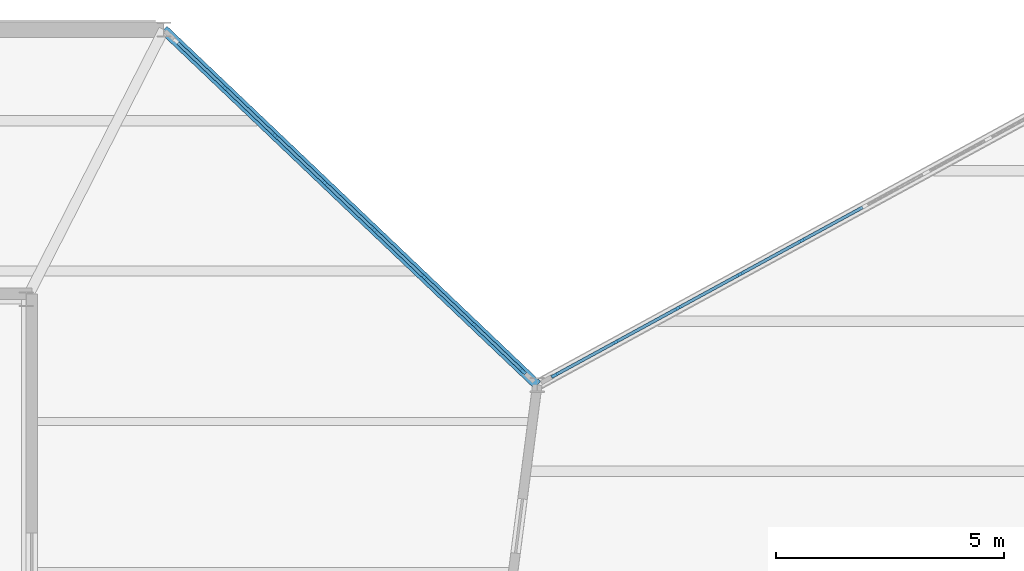
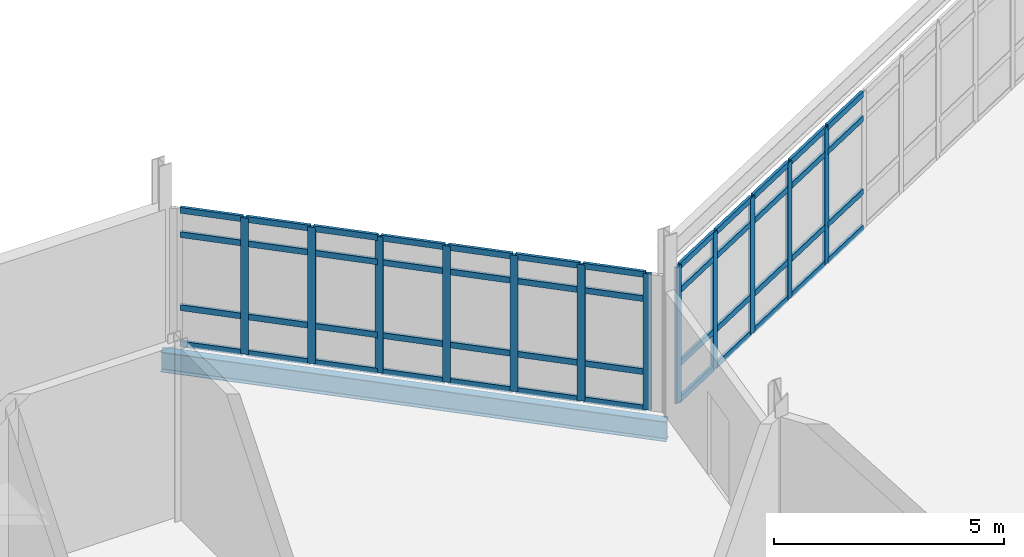
# One storey, part 65 of 114: 60 members, 1 beam, 2 elements without a shape of their own.
"""IFC4 building model written with IfcOpenShell, lengths in metres."""

from ifc_helpers import new_model, si_unit, direction, frame, origin, origin_2d, place, context, subcontext, project, spatial, rectangle, i_section, extrude, material, material_profile, profile_set, type_object, element, aggregate, save


model = new_model("IFC4")

# Units and contexts
model_context = context("Model", 3, precision=1e-05, world=origin(), true_north=direction((0.0, 1.0)))
body_context = subcontext(model_context, "Body", "Model", "MODEL_VIEW")
ifc_project = project(units=[si_unit("LENGTHUNIT", "METRE"), si_unit("AREAUNIT", "SQUARE_METRE"), si_unit("VOLUMEUNIT", "CUBIC_METRE"), si_unit("PLANEANGLEUNIT", "RADIAN"), si_unit("MASSUNIT", "GRAM", prefix="KILO")], contexts=[model_context])

# Site, building, storey
site_placement = place(None, origin())
site = spatial("IfcSite", under=ifc_project, at=site_placement, CompositionType="ELEMENT")
building_placement = place(site_placement, origin())
building = spatial("IfcBuilding", under=site, at=building_placement, Name="Tameran Prism Museum", CompositionType="ELEMENT")
storey_placement = place(building_placement, frame((0.0, 0.0, 10.199951171875)))
storey = spatial("IfcBuildingStorey", under=building, at=storey_placement, Name="L02", CompositionType="ELEMENT", Elevation=10.199951171875)

# Beam
ifc_material_1 = material(Name="Steel Grade 300PLUS (300 MPa)", Category="steel")
ifc_material_profile_1 = material_profile(ifc_material_1, i_section(OverallWidth=0.208984375, OverallDepth=0.532958984375, WebThickness=0.01025390625, FlangeThickness=0.015625, FilletRadius=0.013916015625, at=origin_2d()))
ifc_profile_set_1 = profile_set([ifc_material_profile_1])
beam_type = type_object("IfcBeamType", Name="BM-SP530A", PredefinedType="SPANDREL", material=ifc_profile_set_1)
beam_placement = place(storey_placement, frame((135.699951171875, 104.199951171875, -0.466552734375), z_axis=(-0.724553857676, 0.689218185575, 0.0), x_axis=(-0.689218185575, -0.724553857676, 0.0)))
element("IfcBeam", 1, at=beam_placement, inside=storey, type_object=beam_type, Name="Perimeter Spandrel SP-0665", PredefinedType="SPANDREL", context=body_context, shape_type="SweptSolid", body=[
    extrude(i_section(OverallWidth=0.208984375, OverallDepth=0.532958984375, WebThickness=0.01025390625, FlangeThickness=0.015625, FilletRadius=0.013916015625, at=origin_2d()), origin(), (0.0, 0.0, 1.0), 11.317138671875),
])

# Curtain wall, members
ifc_material_2 = material(Name="Anodised Aluminium 6063-T6 and Cyclone Solar Glass", Category="aluminium")
curtain_wall_type_1 = type_object("IfcCurtainWallType", Name="CW-FAC-1056x362", PredefinedType="USERDEFINED", material=ifc_material_2)
curtain_wall_1_placement = place(storey_placement, origin())
curtain_wall_1 = element("IfcCurtainWall", 2, at=curtain_wall_1_placement, inside=storey, type_object=curtain_wall_type_1, Name="Unitised Curtain Wall CW-100", ObjectType="UNITISED CURTAIN WALL", PredefinedType="USERDEFINED")
ifc_material_3 = material(Name="Anodised Aluminium Alloy 6063-T6", Category="aluminium")
ifc_material_profile_2 = material_profile(ifc_material_3, rectangle(XDim=0.070068359375, YDim=0.179931640625, at=origin_2d()))
ifc_profile_set_2 = profile_set([ifc_material_profile_2])
member_type_1 = type_object("IfcMemberType", Name="CW-MUL-B", PredefinedType="MULLION", material=ifc_profile_set_2)
member_1_placement = place(storey_placement, frame((128.8466796875, 110.719482421875, 0.0), z_axis=(0.0, 0.0, 1.0), x_axis=(0.689269554042, 0.724504990922, 0.0)))
member_1 = element("IfcMember", 3, at=member_1_placement, type_object=member_type_1, Name="CW-100 mullion 2", PredefinedType="MULLION", context=body_context, shape_type="SweptSolid", body=[
    extrude(rectangle(XDim=0.070068359375, YDim=0.179931640625, at=origin_2d()), origin(), (0.0, 0.0, 1.0), 3.6201171875),
])
member_2_placement = place(storey_placement, frame((129.939453125, 109.679931640625, 0.0), z_axis=(0.0, 0.0, 1.0), x_axis=(0.689269554042, 0.724504990922, 0.0)))
member_2 = element("IfcMember", 4, at=member_2_placement, type_object=member_type_1, Name="CW-100 mullion 3", PredefinedType="MULLION", context=body_context, shape_type="SweptSolid", body=[
    extrude(rectangle(XDim=0.070068359375, YDim=0.179931640625, at=origin_2d()), origin(), (0.0, 0.0, 1.0), 3.6201171875),
])
member_3_placement = place(storey_placement, frame((131.0322265625, 108.640380859375, 0.0), z_axis=(0.0, 0.0, 1.0), x_axis=(0.689269554042, 0.724504990922, 0.0)))
member_3 = element("IfcMember", 5, at=member_3_placement, type_object=member_type_1, Name="CW-100 mullion 4", PredefinedType="MULLION", context=body_context, shape_type="SweptSolid", body=[
    extrude(rectangle(XDim=0.070068359375, YDim=0.179931640625, at=origin_2d()), origin(), (0.0, 0.0, 1.0), 3.6201171875),
])
member_4_placement = place(storey_placement, frame((132.124755859375, 107.600830078125, 0.0), z_axis=(0.0, 0.0, 1.0), x_axis=(0.689269554042, 0.724504990922, 0.0)))
member_4 = element("IfcMember", 6, at=member_4_placement, type_object=member_type_1, Name="CW-100 mullion 5", PredefinedType="MULLION", context=body_context, shape_type="SweptSolid", body=[
    extrude(rectangle(XDim=0.070068359375, YDim=0.179931640625, at=origin_2d()), origin(), (0.0, 0.0, 1.0), 3.6201171875),
])
member_5_placement = place(storey_placement, frame((133.217529296875, 106.56103515625, 0.0), z_axis=(0.0, 0.0, 1.0), x_axis=(0.689269554042, 0.724504990922, 0.0)))
member_5 = element("IfcMember", 7, at=member_5_placement, type_object=member_type_1, Name="CW-100 mullion 6", PredefinedType="MULLION", context=body_context, shape_type="SweptSolid", body=[
    extrude(rectangle(XDim=0.070068359375, YDim=0.179931640625, at=origin_2d()), origin(), (0.0, 0.0, 1.0), 3.6201171875),
])
member_6_placement = place(storey_placement, frame((134.310302734375, 105.521484375, 0.0), z_axis=(0.0, 0.0, 1.0), x_axis=(0.689269554042, 0.724504990922, 0.0)))
member_6 = element("IfcMember", 8, at=member_6_placement, type_object=member_type_1, Name="CW-100 mullion 7", PredefinedType="MULLION", context=body_context, shape_type="SweptSolid", body=[
    extrude(rectangle(XDim=0.070068359375, YDim=0.179931640625, at=origin_2d()), origin(), (0.0, 0.0, 1.0), 3.6201171875),
])
member_7_placement = place(storey_placement, frame((135.377685546875, 104.506103515625, 0.0), z_axis=(0.0, 0.0, 1.0), x_axis=(0.689269554042, 0.724504990922, 0.0)))
member_7 = element("IfcMember", 9, at=member_7_placement, type_object=member_type_1, Name="CW-100 mullion 8", PredefinedType="MULLION", context=body_context, shape_type="SweptSolid", body=[
    extrude(rectangle(XDim=0.070068359375, YDim=0.179931640625, at=origin_2d()), origin(), (0.0, 0.0, 1.0), 3.6201171875),
])

ifc_material_4 = material(Name="Anodised Aluminium 6063-T6 and Cyclone Solar Glass", Category="aluminium")
curtain_wall_type_2 = type_object("IfcCurtainWallType", Name="CW-FAC-1553x362", PredefinedType="USERDEFINED", material=ifc_material_4)
curtain_wall_2_placement = place(storey_placement, origin())
curtain_wall_2 = element("IfcCurtainWall", 10, at=curtain_wall_2_placement, inside=storey, type_object=curtain_wall_type_2, Name="Unitised Curtain Wall CW-104", ObjectType="UNITISED CURTAIN WALL", PredefinedType="USERDEFINED")
member_8_placement = place(storey_placement, frame((136.0908203125, 104.413818359375, 0.0), z_axis=(0.0, 0.0, 1.0), x_axis=(-0.478793474805, 0.877927564486, 0.0)))
member_8 = element("IfcMember", 11, at=member_8_placement, type_object=member_type_1, Name="CW-104 mullion 1", PredefinedType="MULLION", context=body_context, shape_type="SweptSolid", body=[
    extrude(rectangle(XDim=0.070068359375, YDim=0.179931640625, at=origin_2d()), origin(), (0.0, 0.0, 1.0), 3.6201171875),
])
member_9_placement = place(storey_placement, frame((137.42333984375, 105.140380859375, 0.0), z_axis=(0.0, 0.0, 1.0), x_axis=(-0.478793474805, 0.877927564486, 0.0)))
member_9 = element("IfcMember", 12, at=member_9_placement, type_object=member_type_1, Name="CW-104 mullion 2", PredefinedType="MULLION", context=body_context, shape_type="SweptSolid", body=[
    extrude(rectangle(XDim=0.070068359375, YDim=0.179931640625, at=origin_2d()), origin(), (0.0, 0.0, 1.0), 3.6201171875),
])
member_10_placement = place(storey_placement, frame((138.78662109375, 105.884033203125, 0.0), z_axis=(0.0, 0.0, 1.0), x_axis=(-0.478793474805, 0.877927564486, 0.0)))
member_10 = element("IfcMember", 13, at=member_10_placement, type_object=member_type_1, Name="CW-104 mullion 3", PredefinedType="MULLION", context=body_context, shape_type="SweptSolid", body=[
    extrude(rectangle(XDim=0.070068359375, YDim=0.179931640625, at=origin_2d()), origin(), (0.0, 0.0, 1.0), 3.6201171875),
])
member_11_placement = place(storey_placement, frame((140.14990234375, 106.62744140625, 0.0), z_axis=(0.0, 0.0, 1.0), x_axis=(-0.478793474805, 0.877927564486, 0.0)))
member_11 = element("IfcMember", 14, at=member_11_placement, type_object=member_type_1, Name="CW-104 mullion 4", PredefinedType="MULLION", context=body_context, shape_type="SweptSolid", body=[
    extrude(rectangle(XDim=0.070068359375, YDim=0.179931640625, at=origin_2d()), origin(), (0.0, 0.0, 1.0), 3.6201171875),
])
member_12_placement = place(storey_placement, frame((141.51318359375, 107.37109375, 0.0), z_axis=(0.0, 0.0, 1.0), x_axis=(-0.478793474805, 0.877927564486, 0.0)))
member_12 = element("IfcMember", 15, at=member_12_placement, type_object=member_type_1, Name="CW-104 mullion 5", PredefinedType="MULLION", context=body_context, shape_type="SweptSolid", body=[
    extrude(rectangle(XDim=0.070068359375, YDim=0.179931640625, at=origin_2d()), origin(), (0.0, 0.0, 1.0), 3.6201171875),
])

# Member
ifc_material_5 = material(Name="Anodised Aluminium Alloy 6063-T6", Category="aluminium")
ifc_material_profile_3 = material_profile(ifc_material_5, rectangle(XDim=0.070068359375, YDim=0.155029296875, at=origin_2d()))
ifc_profile_set_3 = profile_set([ifc_material_profile_3])
member_type_2 = type_object("IfcMemberType", Name="CW-TRN-B", PredefinedType="USERDEFINED", material=ifc_profile_set_3)
member_13_placement = place(storey_placement, frame((127.8046875, 111.710693359375, 0.03515625), z_axis=(0.724547464934, -0.689224906005, 0.0), x_axis=(0.689224906005, 0.724547464934, 0.0)))
member_13 = element("IfcMember", 16, at=member_13_placement, type_object=member_type_2, Name="CW-100 transom 1.1", ObjectType="TRANSOM", PredefinedType="USERDEFINED", context=body_context, shape_type="SweptSolid", body=[
    extrude(rectangle(XDim=0.070068359375, YDim=0.155029296875, at=origin_2d()), origin(), (0.0, 0.0, 1.0), 1.403076171875),
])

member_14_placement = place(storey_placement, frame((127.8046875, 111.710693359375, 1.0), z_axis=(0.724547464934, -0.689224906005, 0.0), x_axis=(0.689224906005, 0.724547464934, 0.0)))
member_14 = element("IfcMember", 17, at=member_14_placement, type_object=member_type_2, Name="CW-100 transom 1.2", ObjectType="TRANSOM", PredefinedType="USERDEFINED", context=body_context, shape_type="SweptSolid", body=[
    extrude(rectangle(XDim=0.070068359375, YDim=0.155029296875, at=origin_2d()), origin(), (0.0, 0.0, 1.0), 1.403076171875),
])

member_15_placement = place(storey_placement, frame((127.8046875, 111.710693359375, 2.93994140625), z_axis=(0.724547464934, -0.689224906005, 0.0), x_axis=(0.689224906005, 0.724547464934, 0.0)))
member_15 = element("IfcMember", 18, at=member_15_placement, type_object=member_type_2, Name="CW-100 transom 1.3", ObjectType="TRANSOM", PredefinedType="USERDEFINED", context=body_context, shape_type="SweptSolid", body=[
    extrude(rectangle(XDim=0.070068359375, YDim=0.155029296875, at=origin_2d()), origin(), (0.0, 0.0, 1.0), 1.403076171875),
])

member_16_placement = place(storey_placement, frame((127.8046875, 111.710693359375, 3.5849609375), z_axis=(0.724547464934, -0.689224906005, 0.0), x_axis=(0.689224906005, 0.724547464934, 0.0)))
member_16 = element("IfcMember", 19, at=member_16_placement, type_object=member_type_2, Name="CW-100 transom 1.4", ObjectType="TRANSOM", PredefinedType="USERDEFINED", context=body_context, shape_type="SweptSolid", body=[
    extrude(rectangle(XDim=0.070068359375, YDim=0.155029296875, at=origin_2d()), origin(), (0.0, 0.0, 1.0), 1.403076171875),
])

member_17_placement = place(storey_placement, frame((128.8720703125, 110.6953125, 0.03515625), z_axis=(0.724541520086, -0.689231155471, 0.0), x_axis=(0.689231155471, 0.724541520086, 0.0)))
member_17 = element("IfcMember", 20, at=member_17_placement, type_object=member_type_2, Name="CW-100 transom 2.1", ObjectType="TRANSOM", PredefinedType="USERDEFINED", context=body_context, shape_type="SweptSolid", body=[
    extrude(rectangle(XDim=0.070068359375, YDim=0.155029296875, at=origin_2d()), origin(), (0.0, 0.0, 1.0), 1.438232421875),
])

member_18_placement = place(storey_placement, frame((128.8720703125, 110.6953125, 1.0), z_axis=(0.724541520086, -0.689231155471, 0.0), x_axis=(0.689231155471, 0.724541520086, 0.0)))
member_18 = element("IfcMember", 21, at=member_18_placement, type_object=member_type_2, Name="CW-100 transom 2.2", ObjectType="TRANSOM", PredefinedType="USERDEFINED", context=body_context, shape_type="SweptSolid", body=[
    extrude(rectangle(XDim=0.070068359375, YDim=0.155029296875, at=origin_2d()), origin(), (0.0, 0.0, 1.0), 1.438232421875),
])

member_19_placement = place(storey_placement, frame((128.8720703125, 110.6953125, 2.93994140625), z_axis=(0.724541520086, -0.689231155471, 0.0), x_axis=(0.689231155471, 0.724541520086, 0.0)))
member_19 = element("IfcMember", 22, at=member_19_placement, type_object=member_type_2, Name="CW-100 transom 2.3", ObjectType="TRANSOM", PredefinedType="USERDEFINED", context=body_context, shape_type="SweptSolid", body=[
    extrude(rectangle(XDim=0.070068359375, YDim=0.155029296875, at=origin_2d()), origin(), (0.0, 0.0, 1.0), 1.438232421875),
])

member_20_placement = place(storey_placement, frame((128.8720703125, 110.6953125, 3.5849609375), z_axis=(0.724541520086, -0.689231155471, 0.0), x_axis=(0.689231155471, 0.724541520086, 0.0)))
member_20 = element("IfcMember", 23, at=member_20_placement, type_object=member_type_2, Name="CW-100 transom 2.4", ObjectType="TRANSOM", PredefinedType="USERDEFINED", context=body_context, shape_type="SweptSolid", body=[
    extrude(rectangle(XDim=0.070068359375, YDim=0.155029296875, at=origin_2d()), origin(), (0.0, 0.0, 1.0), 1.438232421875),
])

member_21_placement = place(storey_placement, frame((129.96484375, 109.65576171875, 0.03515625), z_axis=(0.724456749672, -0.68932025783, 0.0), x_axis=(0.68932025783, 0.724456749672, 0.0)))
member_21 = element("IfcMember", 24, at=member_21_placement, type_object=member_type_2, Name="CW-100 transom 3.1", ObjectType="TRANSOM", PredefinedType="USERDEFINED", context=body_context, shape_type="SweptSolid", body=[
    extrude(rectangle(XDim=0.070068359375, YDim=0.155029296875, at=origin_2d()), origin(), (0.0, 0.0, 1.0), 1.438232421875),
])

member_22_placement = place(storey_placement, frame((129.96484375, 109.65576171875, 1.0), z_axis=(0.724456749672, -0.68932025783, 0.0), x_axis=(0.68932025783, 0.724456749672, 0.0)))
member_22 = element("IfcMember", 25, at=member_22_placement, type_object=member_type_2, Name="CW-100 transom 3.2", ObjectType="TRANSOM", PredefinedType="USERDEFINED", context=body_context, shape_type="SweptSolid", body=[
    extrude(rectangle(XDim=0.070068359375, YDim=0.155029296875, at=origin_2d()), origin(), (0.0, 0.0, 1.0), 1.438232421875),
])

member_23_placement = place(storey_placement, frame((129.96484375, 109.65576171875, 2.93994140625), z_axis=(0.724456749672, -0.68932025783, 0.0), x_axis=(0.68932025783, 0.724456749672, 0.0)))
member_23 = element("IfcMember", 26, at=member_23_placement, type_object=member_type_2, Name="CW-100 transom 3.3", ObjectType="TRANSOM", PredefinedType="USERDEFINED", context=body_context, shape_type="SweptSolid", body=[
    extrude(rectangle(XDim=0.070068359375, YDim=0.155029296875, at=origin_2d()), origin(), (0.0, 0.0, 1.0), 1.438232421875),
])

member_24_placement = place(storey_placement, frame((129.96484375, 109.65576171875, 3.5849609375), z_axis=(0.724456749672, -0.68932025783, 0.0), x_axis=(0.68932025783, 0.724456749672, 0.0)))
member_24 = element("IfcMember", 27, at=member_24_placement, type_object=member_type_2, Name="CW-100 transom 3.4", ObjectType="TRANSOM", PredefinedType="USERDEFINED", context=body_context, shape_type="SweptSolid", body=[
    extrude(rectangle(XDim=0.070068359375, YDim=0.155029296875, at=origin_2d()), origin(), (0.0, 0.0, 1.0), 1.438232421875),
])

member_25_placement = place(storey_placement, frame((131.0576171875, 108.6162109375, 0.03515625), z_axis=(0.724456749672, -0.68932025783, 0.0), x_axis=(0.68932025783, 0.724456749672, 0.0)))
member_25 = element("IfcMember", 28, at=member_25_placement, type_object=member_type_2, Name="CW-100 transom 4.1", ObjectType="TRANSOM", PredefinedType="USERDEFINED", context=body_context, shape_type="SweptSolid", body=[
    extrude(rectangle(XDim=0.070068359375, YDim=0.155029296875, at=origin_2d()), origin(), (0.0, 0.0, 1.0), 1.438232421875),
])

member_26_placement = place(storey_placement, frame((131.0576171875, 108.6162109375, 1.0), z_axis=(0.724456749672, -0.68932025783, 0.0), x_axis=(0.68932025783, 0.724456749672, 0.0)))
member_26 = element("IfcMember", 29, at=member_26_placement, type_object=member_type_2, Name="CW-100 transom 4.2", ObjectType="TRANSOM", PredefinedType="USERDEFINED", context=body_context, shape_type="SweptSolid", body=[
    extrude(rectangle(XDim=0.070068359375, YDim=0.155029296875, at=origin_2d()), origin(), (0.0, 0.0, 1.0), 1.438232421875),
])

member_27_placement = place(storey_placement, frame((131.0576171875, 108.6162109375, 2.93994140625), z_axis=(0.724456749672, -0.68932025783, 0.0), x_axis=(0.68932025783, 0.724456749672, 0.0)))
member_27 = element("IfcMember", 30, at=member_27_placement, type_object=member_type_2, Name="CW-100 transom 4.3", ObjectType="TRANSOM", PredefinedType="USERDEFINED", context=body_context, shape_type="SweptSolid", body=[
    extrude(rectangle(XDim=0.070068359375, YDim=0.155029296875, at=origin_2d()), origin(), (0.0, 0.0, 1.0), 1.438232421875),
])

member_28_placement = place(storey_placement, frame((131.0576171875, 108.6162109375, 3.5849609375), z_axis=(0.724456749672, -0.68932025783, 0.0), x_axis=(0.68932025783, 0.724456749672, 0.0)))
member_28 = element("IfcMember", 31, at=member_28_placement, type_object=member_type_2, Name="CW-100 transom 4.4", ObjectType="TRANSOM", PredefinedType="USERDEFINED", context=body_context, shape_type="SweptSolid", body=[
    extrude(rectangle(XDim=0.070068359375, YDim=0.155029296875, at=origin_2d()), origin(), (0.0, 0.0, 1.0), 1.438232421875),
])

member_29_placement = place(storey_placement, frame((132.150146484375, 107.57666015625, 0.03515625), z_axis=(0.724456749672, -0.68932025783, 0.0), x_axis=(0.68932025783, 0.724456749672, 0.0)))
member_29 = element("IfcMember", 32, at=member_29_placement, type_object=member_type_2, Name="CW-100 transom 5.1", ObjectType="TRANSOM", PredefinedType="USERDEFINED", context=body_context, shape_type="SweptSolid", body=[
    extrude(rectangle(XDim=0.070068359375, YDim=0.155029296875, at=origin_2d()), origin(), (0.0, 0.0, 1.0), 1.438232421875),
])

member_30_placement = place(storey_placement, frame((132.150146484375, 107.57666015625, 1.0), z_axis=(0.724456749672, -0.68932025783, 0.0), x_axis=(0.68932025783, 0.724456749672, 0.0)))
member_30 = element("IfcMember", 33, at=member_30_placement, type_object=member_type_2, Name="CW-100 transom 5.2", ObjectType="TRANSOM", PredefinedType="USERDEFINED", context=body_context, shape_type="SweptSolid", body=[
    extrude(rectangle(XDim=0.070068359375, YDim=0.155029296875, at=origin_2d()), origin(), (0.0, 0.0, 1.0), 1.438232421875),
])

member_31_placement = place(storey_placement, frame((132.150146484375, 107.57666015625, 2.93994140625), z_axis=(0.724456749672, -0.68932025783, 0.0), x_axis=(0.68932025783, 0.724456749672, 0.0)))
member_31 = element("IfcMember", 34, at=member_31_placement, type_object=member_type_2, Name="CW-100 transom 5.3", ObjectType="TRANSOM", PredefinedType="USERDEFINED", context=body_context, shape_type="SweptSolid", body=[
    extrude(rectangle(XDim=0.070068359375, YDim=0.155029296875, at=origin_2d()), origin(), (0.0, 0.0, 1.0), 1.438232421875),
])

member_32_placement = place(storey_placement, frame((132.150146484375, 107.57666015625, 3.5849609375), z_axis=(0.724456749672, -0.68932025783, 0.0), x_axis=(0.68932025783, 0.724456749672, 0.0)))
member_32 = element("IfcMember", 35, at=member_32_placement, type_object=member_type_2, Name="CW-100 transom 5.4", ObjectType="TRANSOM", PredefinedType="USERDEFINED", context=body_context, shape_type="SweptSolid", body=[
    extrude(rectangle(XDim=0.070068359375, YDim=0.155029296875, at=origin_2d()), origin(), (0.0, 0.0, 1.0), 1.438232421875),
])

member_33_placement = place(storey_placement, frame((133.242919921875, 106.537109375, 0.03515625), z_axis=(0.724456749672, -0.68932025783, 0.0), x_axis=(0.68932025783, 0.724456749672, 0.0)))
member_33 = element("IfcMember", 36, at=member_33_placement, type_object=member_type_2, Name="CW-100 transom 6.1", ObjectType="TRANSOM", PredefinedType="USERDEFINED", context=body_context, shape_type="SweptSolid", body=[
    extrude(rectangle(XDim=0.070068359375, YDim=0.155029296875, at=origin_2d()), origin(), (0.0, 0.0, 1.0), 1.438232421875),
])

member_34_placement = place(storey_placement, frame((133.242919921875, 106.537109375, 1.0), z_axis=(0.724456749672, -0.68932025783, 0.0), x_axis=(0.68932025783, 0.724456749672, 0.0)))
member_34 = element("IfcMember", 37, at=member_34_placement, type_object=member_type_2, Name="CW-100 transom 6.2", ObjectType="TRANSOM", PredefinedType="USERDEFINED", context=body_context, shape_type="SweptSolid", body=[
    extrude(rectangle(XDim=0.070068359375, YDim=0.155029296875, at=origin_2d()), origin(), (0.0, 0.0, 1.0), 1.438232421875),
])

member_35_placement = place(storey_placement, frame((133.242919921875, 106.537109375, 2.93994140625), z_axis=(0.724456749672, -0.68932025783, 0.0), x_axis=(0.68932025783, 0.724456749672, 0.0)))
member_35 = element("IfcMember", 38, at=member_35_placement, type_object=member_type_2, Name="CW-100 transom 6.3", ObjectType="TRANSOM", PredefinedType="USERDEFINED", context=body_context, shape_type="SweptSolid", body=[
    extrude(rectangle(XDim=0.070068359375, YDim=0.155029296875, at=origin_2d()), origin(), (0.0, 0.0, 1.0), 1.438232421875),
])

member_36_placement = place(storey_placement, frame((133.242919921875, 106.537109375, 3.5849609375), z_axis=(0.724456749672, -0.68932025783, 0.0), x_axis=(0.68932025783, 0.724456749672, 0.0)))
member_36 = element("IfcMember", 39, at=member_36_placement, type_object=member_type_2, Name="CW-100 transom 6.4", ObjectType="TRANSOM", PredefinedType="USERDEFINED", context=body_context, shape_type="SweptSolid", body=[
    extrude(rectangle(XDim=0.070068359375, YDim=0.155029296875, at=origin_2d()), origin(), (0.0, 0.0, 1.0), 1.438232421875),
])

member_37_placement = place(storey_placement, frame((134.335693359375, 105.49755859375, 0.03515625), z_axis=(0.724460576771, -0.689316235631, 0.0), x_axis=(0.689316235631, 0.724460576771, 0.0)))
member_37 = element("IfcMember", 40, at=member_37_placement, type_object=member_type_2, Name="CW-100 transom 7.1", ObjectType="TRANSOM", PredefinedType="USERDEFINED", context=body_context, shape_type="SweptSolid", body=[
    extrude(rectangle(XDim=0.070068359375, YDim=0.155029296875, at=origin_2d()), origin(), (0.0, 0.0, 1.0), 1.4033203125),
])

member_38_placement = place(storey_placement, frame((134.335693359375, 105.49755859375, 1.0), z_axis=(0.724460576771, -0.689316235631, 0.0), x_axis=(0.689316235631, 0.724460576771, 0.0)))
member_38 = element("IfcMember", 41, at=member_38_placement, type_object=member_type_2, Name="CW-100 transom 7.2", ObjectType="TRANSOM", PredefinedType="USERDEFINED", context=body_context, shape_type="SweptSolid", body=[
    extrude(rectangle(XDim=0.070068359375, YDim=0.155029296875, at=origin_2d()), origin(), (0.0, 0.0, 1.0), 1.4033203125),
])

member_39_placement = place(storey_placement, frame((134.335693359375, 105.49755859375, 2.93994140625), z_axis=(0.724460576771, -0.689316235631, 0.0), x_axis=(0.689316235631, 0.724460576771, 0.0)))
member_39 = element("IfcMember", 42, at=member_39_placement, type_object=member_type_2, Name="CW-100 transom 7.3", ObjectType="TRANSOM", PredefinedType="USERDEFINED", context=body_context, shape_type="SweptSolid", body=[
    extrude(rectangle(XDim=0.070068359375, YDim=0.155029296875, at=origin_2d()), origin(), (0.0, 0.0, 1.0), 1.4033203125),
])

member_40_placement = place(storey_placement, frame((134.335693359375, 105.49755859375, 3.5849609375), z_axis=(0.724460576771, -0.689316235631, 0.0), x_axis=(0.689316235631, 0.724460576771, 0.0)))
member_40 = element("IfcMember", 43, at=member_40_placement, type_object=member_type_2, Name="CW-100 transom 7.4", ObjectType="TRANSOM", PredefinedType="USERDEFINED", context=body_context, shape_type="SweptSolid", body=[
    extrude(rectangle(XDim=0.070068359375, YDim=0.155029296875, at=origin_2d()), origin(), (0.0, 0.0, 1.0), 1.4033203125),
])

aggregate(curtain_wall_1, [member_1, member_2, member_3, member_4, member_5, member_6, member_7, member_13, member_14, member_15, member_16, member_17, member_18, member_19, member_20, member_21, member_22, member_23, member_24, member_25, member_26, member_27, member_28, member_29, member_30, member_31, member_32, member_33, member_34, member_35, member_36, member_37, member_38, member_39, member_40])

member_41_placement = place(storey_placement, frame((136.121337890625, 104.430419921875, 0.03515625), z_axis=(0.877908459342, 0.478828504807, 0.0), x_axis=(-0.478828504807, 0.877908459342, 0.0)))
member_41 = element("IfcMember", 44, at=member_41_placement, type_object=member_type_2, Name="CW-104 transom 1.1", ObjectType="TRANSOM", PredefinedType="USERDEFINED", context=body_context, shape_type="SweptSolid", body=[
    extrude(rectangle(XDim=0.070068359375, YDim=0.155029296875, at=origin_2d()), origin(), (0.0, 0.0, 1.0), 1.447998046875),
])

member_42_placement = place(storey_placement, frame((136.121337890625, 104.430419921875, 1.0), z_axis=(0.877908459342, 0.478828504807, 0.0), x_axis=(-0.478828504807, 0.877908459342, 0.0)))
member_42 = element("IfcMember", 45, at=member_42_placement, type_object=member_type_2, Name="CW-104 transom 1.2", ObjectType="TRANSOM", PredefinedType="USERDEFINED", context=body_context, shape_type="SweptSolid", body=[
    extrude(rectangle(XDim=0.070068359375, YDim=0.155029296875, at=origin_2d()), origin(), (0.0, 0.0, 1.0), 1.447998046875),
])

member_43_placement = place(storey_placement, frame((136.121337890625, 104.430419921875, 2.93994140625), z_axis=(0.877908459342, 0.478828504807, 0.0), x_axis=(-0.478828504807, 0.877908459342, 0.0)))
member_43 = element("IfcMember", 46, at=member_43_placement, type_object=member_type_2, Name="CW-104 transom 1.3", ObjectType="TRANSOM", PredefinedType="USERDEFINED", context=body_context, shape_type="SweptSolid", body=[
    extrude(rectangle(XDim=0.070068359375, YDim=0.155029296875, at=origin_2d()), origin(), (0.0, 0.0, 1.0), 1.447998046875),
])

member_44_placement = place(storey_placement, frame((136.121337890625, 104.430419921875, 3.5849609375), z_axis=(0.877908459342, 0.478828504807, 0.0), x_axis=(-0.478828504807, 0.877908459342, 0.0)))
member_44 = element("IfcMember", 47, at=member_44_placement, type_object=member_type_2, Name="CW-104 transom 1.4", ObjectType="TRANSOM", PredefinedType="USERDEFINED", context=body_context, shape_type="SweptSolid", body=[
    extrude(rectangle(XDim=0.070068359375, YDim=0.155029296875, at=origin_2d()), origin(), (0.0, 0.0, 1.0), 1.447998046875),
])

member_45_placement = place(storey_placement, frame((137.4541015625, 105.1572265625, 0.03515625), z_axis=(0.877920741327, 0.478805985705, 0.0), x_axis=(-0.478805985705, 0.877920741327, 0.0)))
member_45 = element("IfcMember", 48, at=member_45_placement, type_object=member_type_2, Name="CW-104 transom 2.1", ObjectType="TRANSOM", PredefinedType="USERDEFINED", context=body_context, shape_type="SweptSolid", body=[
    extrude(rectangle(XDim=0.070068359375, YDim=0.155029296875, at=origin_2d()), origin(), (0.0, 0.0, 1.0), 1.482666015625),
])

member_46_placement = place(storey_placement, frame((137.4541015625, 105.1572265625, 1.0), z_axis=(0.877920741327, 0.478805985705, 0.0), x_axis=(-0.478805985705, 0.877920741327, 0.0)))
member_46 = element("IfcMember", 49, at=member_46_placement, type_object=member_type_2, Name="CW-104 transom 2.2", ObjectType="TRANSOM", PredefinedType="USERDEFINED", context=body_context, shape_type="SweptSolid", body=[
    extrude(rectangle(XDim=0.070068359375, YDim=0.155029296875, at=origin_2d()), origin(), (0.0, 0.0, 1.0), 1.482666015625),
])

member_47_placement = place(storey_placement, frame((137.4541015625, 105.1572265625, 2.93994140625), z_axis=(0.877920741327, 0.478805985705, 0.0), x_axis=(-0.478805985705, 0.877920741327, 0.0)))
member_47 = element("IfcMember", 50, at=member_47_placement, type_object=member_type_2, Name="CW-104 transom 2.3", ObjectType="TRANSOM", PredefinedType="USERDEFINED", context=body_context, shape_type="SweptSolid", body=[
    extrude(rectangle(XDim=0.070068359375, YDim=0.155029296875, at=origin_2d()), origin(), (0.0, 0.0, 1.0), 1.482666015625),
])

member_48_placement = place(storey_placement, frame((137.4541015625, 105.1572265625, 3.5849609375), z_axis=(0.877920741327, 0.478805985705, 0.0), x_axis=(-0.478805985705, 0.877920741327, 0.0)))
member_48 = element("IfcMember", 51, at=member_48_placement, type_object=member_type_2, Name="CW-104 transom 2.4", ObjectType="TRANSOM", PredefinedType="USERDEFINED", context=body_context, shape_type="SweptSolid", body=[
    extrude(rectangle(XDim=0.070068359375, YDim=0.155029296875, at=origin_2d()), origin(), (0.0, 0.0, 1.0), 1.482666015625),
])

member_49_placement = place(storey_placement, frame((138.8173828125, 105.90087890625, 0.03515625), z_axis=(0.877920741327, 0.478805985705, 0.0), x_axis=(-0.478805985705, 0.877920741327, 0.0)))
member_49 = element("IfcMember", 52, at=member_49_placement, type_object=member_type_2, Name="CW-104 transom 3.1", ObjectType="TRANSOM", PredefinedType="USERDEFINED", context=body_context, shape_type="SweptSolid", body=[
    extrude(rectangle(XDim=0.070068359375, YDim=0.155029296875, at=origin_2d()), origin(), (0.0, 0.0, 1.0), 1.482666015625),
])

member_50_placement = place(storey_placement, frame((138.8173828125, 105.90087890625, 1.0), z_axis=(0.877920741327, 0.478805985705, 0.0), x_axis=(-0.478805985705, 0.877920741327, 0.0)))
member_50 = element("IfcMember", 53, at=member_50_placement, type_object=member_type_2, Name="CW-104 transom 3.2", ObjectType="TRANSOM", PredefinedType="USERDEFINED", context=body_context, shape_type="SweptSolid", body=[
    extrude(rectangle(XDim=0.070068359375, YDim=0.155029296875, at=origin_2d()), origin(), (0.0, 0.0, 1.0), 1.482666015625),
])

member_51_placement = place(storey_placement, frame((138.8173828125, 105.90087890625, 2.93994140625), z_axis=(0.877920741327, 0.478805985705, 0.0), x_axis=(-0.478805985705, 0.877920741327, 0.0)))
member_51 = element("IfcMember", 54, at=member_51_placement, type_object=member_type_2, Name="CW-104 transom 3.3", ObjectType="TRANSOM", PredefinedType="USERDEFINED", context=body_context, shape_type="SweptSolid", body=[
    extrude(rectangle(XDim=0.070068359375, YDim=0.155029296875, at=origin_2d()), origin(), (0.0, 0.0, 1.0), 1.482666015625),
])

member_52_placement = place(storey_placement, frame((138.8173828125, 105.90087890625, 3.5849609375), z_axis=(0.877920741327, 0.478805985705, 0.0), x_axis=(-0.478805985705, 0.877920741327, 0.0)))
member_52 = element("IfcMember", 55, at=member_52_placement, type_object=member_type_2, Name="CW-104 transom 3.4", ObjectType="TRANSOM", PredefinedType="USERDEFINED", context=body_context, shape_type="SweptSolid", body=[
    extrude(rectangle(XDim=0.070068359375, YDim=0.155029296875, at=origin_2d()), origin(), (0.0, 0.0, 1.0), 1.482666015625),
])

member_53_placement = place(storey_placement, frame((140.1806640625, 106.644287109375, 0.03515625), z_axis=(0.877920741327, 0.478805985705, 0.0), x_axis=(-0.478805985705, 0.877920741327, 0.0)))
member_53 = element("IfcMember", 56, at=member_53_placement, type_object=member_type_2, Name="CW-104 transom 4.1", ObjectType="TRANSOM", PredefinedType="USERDEFINED", context=body_context, shape_type="SweptSolid", body=[
    extrude(rectangle(XDim=0.070068359375, YDim=0.155029296875, at=origin_2d()), origin(), (0.0, 0.0, 1.0), 1.482666015625),
])

member_54_placement = place(storey_placement, frame((140.1806640625, 106.644287109375, 1.0), z_axis=(0.877920741327, 0.478805985705, 0.0), x_axis=(-0.478805985705, 0.877920741327, 0.0)))
member_54 = element("IfcMember", 57, at=member_54_placement, type_object=member_type_2, Name="CW-104 transom 4.2", ObjectType="TRANSOM", PredefinedType="USERDEFINED", context=body_context, shape_type="SweptSolid", body=[
    extrude(rectangle(XDim=0.070068359375, YDim=0.155029296875, at=origin_2d()), origin(), (0.0, 0.0, 1.0), 1.482666015625),
])

member_55_placement = place(storey_placement, frame((140.1806640625, 106.644287109375, 2.93994140625), z_axis=(0.877920741327, 0.478805985705, 0.0), x_axis=(-0.478805985705, 0.877920741327, 0.0)))
member_55 = element("IfcMember", 58, at=member_55_placement, type_object=member_type_2, Name="CW-104 transom 4.3", ObjectType="TRANSOM", PredefinedType="USERDEFINED", context=body_context, shape_type="SweptSolid", body=[
    extrude(rectangle(XDim=0.070068359375, YDim=0.155029296875, at=origin_2d()), origin(), (0.0, 0.0, 1.0), 1.482666015625),
])

member_56_placement = place(storey_placement, frame((140.1806640625, 106.644287109375, 3.5849609375), z_axis=(0.877920741327, 0.478805985705, 0.0), x_axis=(-0.478805985705, 0.877920741327, 0.0)))
member_56 = element("IfcMember", 59, at=member_56_placement, type_object=member_type_2, Name="CW-104 transom 4.4", ObjectType="TRANSOM", PredefinedType="USERDEFINED", context=body_context, shape_type="SweptSolid", body=[
    extrude(rectangle(XDim=0.070068359375, YDim=0.155029296875, at=origin_2d()), origin(), (0.0, 0.0, 1.0), 1.482666015625),
])

member_57_placement = place(storey_placement, frame((141.5439453125, 107.3876953125, 0.03515625), z_axis=(0.877920741327, 0.478805985705, 0.0), x_axis=(-0.478805985705, 0.877920741327, 0.0)))
member_57 = element("IfcMember", 60, at=member_57_placement, type_object=member_type_2, Name="CW-104 transom 5.1", ObjectType="TRANSOM", PredefinedType="USERDEFINED", context=body_context, shape_type="SweptSolid", body=[
    extrude(rectangle(XDim=0.070068359375, YDim=0.155029296875, at=origin_2d()), origin(), (0.0, 0.0, 1.0), 1.482666015625),
])

member_58_placement = place(storey_placement, frame((141.5439453125, 107.3876953125, 1.0), z_axis=(0.877920741327, 0.478805985705, 0.0), x_axis=(-0.478805985705, 0.877920741327, 0.0)))
member_58 = element("IfcMember", 61, at=member_58_placement, type_object=member_type_2, Name="CW-104 transom 5.2", ObjectType="TRANSOM", PredefinedType="USERDEFINED", context=body_context, shape_type="SweptSolid", body=[
    extrude(rectangle(XDim=0.070068359375, YDim=0.155029296875, at=origin_2d()), origin(), (0.0, 0.0, 1.0), 1.482666015625),
])

member_59_placement = place(storey_placement, frame((141.5439453125, 107.3876953125, 2.93994140625), z_axis=(0.877920741327, 0.478805985705, 0.0), x_axis=(-0.478805985705, 0.877920741327, 0.0)))
member_59 = element("IfcMember", 62, at=member_59_placement, type_object=member_type_2, Name="CW-104 transom 5.3", ObjectType="TRANSOM", PredefinedType="USERDEFINED", context=body_context, shape_type="SweptSolid", body=[
    extrude(rectangle(XDim=0.070068359375, YDim=0.155029296875, at=origin_2d()), origin(), (0.0, 0.0, 1.0), 1.482666015625),
])

member_60_placement = place(storey_placement, frame((141.5439453125, 107.3876953125, 3.5849609375), z_axis=(0.877920741327, 0.478805985705, 0.0), x_axis=(-0.478805985705, 0.877920741327, 0.0)))
member_60 = element("IfcMember", 63, at=member_60_placement, type_object=member_type_2, Name="CW-104 transom 5.4", ObjectType="TRANSOM", PredefinedType="USERDEFINED", context=body_context, shape_type="SweptSolid", body=[
    extrude(rectangle(XDim=0.070068359375, YDim=0.155029296875, at=origin_2d()), origin(), (0.0, 0.0, 1.0), 1.482666015625),
])

aggregate(curtain_wall_2, [member_8, member_9, member_10, member_11, member_12, member_41, member_42, member_43, member_44, member_45, member_46, member_47, member_48, member_49, member_50, member_51, member_52, member_53, member_54, member_55, member_56, member_57, member_58, member_59, member_60])

save(model, "model.ifc")
